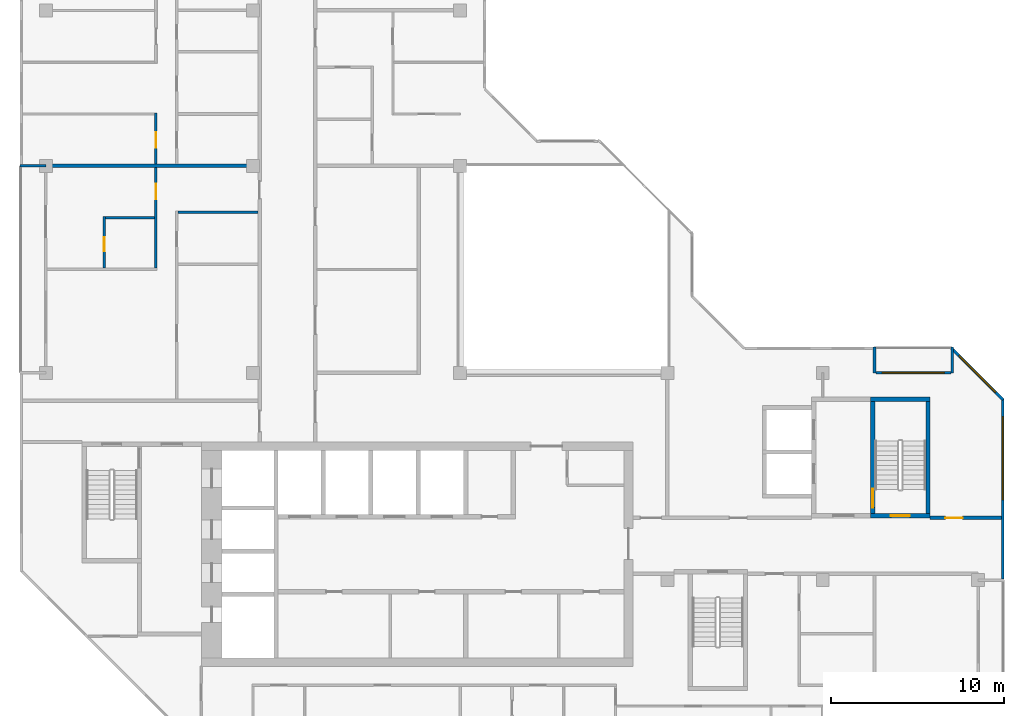
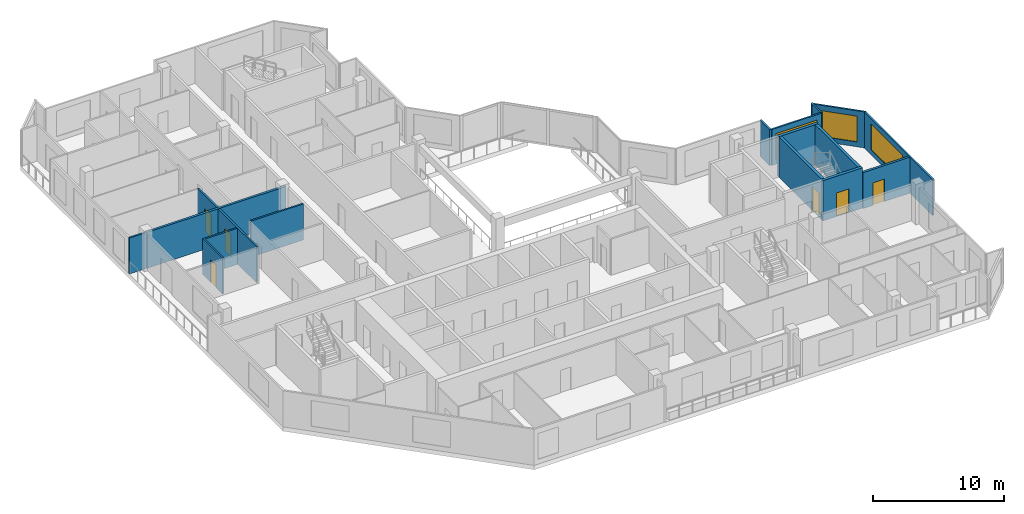
# One storey, part 7 of 12: 17 walls, 6 doors, 3 windows, 9 openings.
"""IFC4 building model written with IfcOpenShell, lengths in metres."""

import ifcopenshell
import ifcopenshell.guid

model = None  # the IFC model being written
_history = None  # IfcOwnerHistory: only IFC2X3 demands one
_inside = {}  # id of a spatial element -> (the spatial element, [elements in it])
_under = {}  # id of a project, library or spatial element -> (it, [spatial elements below it])
_declared = {}  # id of a project -> (the project, [libraries it declares])
_typed = {}  # id of a type object -> (the type object, [elements of that type])
_made_of = {}  # id of a material, layer set ... -> (it, [elements and type objects made of it])


def new_model(schema):
    """Start an empty IFC model of exactly this schema.

    Asked for "IFC4X3", IfcOpenShell would pick the latest addendum, in which some entities
    have other attributes; the version numbers below select the first issue.
    IFC2X3 requires an IfcOwnerHistory on every rooted entity: one is made here for all.
    """
    global model, _history
    if schema == "IFC4X3":
        model = ifcopenshell.file(schema_version=(4, 3, 0, 0))
    else:
        model = ifcopenshell.file(schema=schema)
    _inside.clear()
    _under.clear()
    _declared.clear()
    _typed.clear()
    _made_of.clear()
    _history = None
    if model.schema == "IFC2X3":
        org = make("IfcOrganization", Name="unknown")
        user = make(
            "IfcPersonAndOrganization",
            ThePerson=make("IfcPerson", FamilyName="unknown"),
            TheOrganization=org,
        )
        app = make(
            "IfcApplication",
            ApplicationDeveloper=org,
            Version="unknown",
            ApplicationFullName="unknown",
            ApplicationIdentifier="unknown",
        )
        _history = make(
            "IfcOwnerHistory",
            OwningUser=user,
            OwningApplication=app,
            ChangeAction="ADDED",
            CreationDate=0,
        )
    return model


def make(cls, **values):
    """One entity of the class cls with the attributes given. An attribute that is None is left unset."""
    return model.create_entity(
        cls, **{name: value for name, value in values.items() if value is not None}
    )


def rooted(cls, **values):
    """An entity with a GlobalId (a new one), such as an element, a storey or a relation."""
    return make(cls, GlobalId=ifcopenshell.guid.new(), OwnerHistory=_history, **values)


def si_unit(unit_type, name, prefix=None):
    """IfcSIUnit, for example si_unit("LENGTHUNIT", "METRE", prefix="MILLI")."""
    return make("IfcSIUnit", UnitType=unit_type, Prefix=prefix, Name=name)


def assignment(units):
    """IfcUnitAssignment: the units of a project."""
    return None if units is None else make("IfcUnitAssignment", Units=units)


def point(xyz):
    """IfcCartesianPoint."""
    return None if xyz is None else make("IfcCartesianPoint", Coordinates=xyz)


def direction(xyz):
    """IfcDirection."""
    return None if xyz is None else make("IfcDirection", DirectionRatios=xyz)


def frame(location, z_axis=None, x_axis=None):
    """IfcAxis2Placement3D, a coordinate frame: its origin and axes. An axis left out is left unset."""
    return make(
        "IfcAxis2Placement3D",
        Location=point(location),
        Axis=direction(z_axis),
        RefDirection=direction(x_axis),
    )


def frame_2d(location, x_axis=None):
    """IfcAxis2Placement2D, a coordinate frame in the plane: its origin and x axis."""
    return make(
        "IfcAxis2Placement2D", Location=point(location), RefDirection=direction(x_axis)
    )


def origin():
    """The frame at (0, 0, 0) with its axes left unset."""
    return frame((0.0, 0.0, 0.0))


def place(relative_to, where):
    """IfcLocalPlacement: puts the frame where relative to a parent placement (None: the world)."""
    return make(
        "IfcLocalPlacement", PlacementRelTo=relative_to, RelativePlacement=where
    )


def context(
    kind, dimensions, precision=None, world=None, true_north=None, identifier=None
):
    """IfcGeometricRepresentationContext, for example the 3D "Model" context."""
    return make(
        "IfcGeometricRepresentationContext",
        ContextIdentifier=identifier,
        ContextType=kind,
        CoordinateSpaceDimension=dimensions,
        Precision=precision,
        WorldCoordinateSystem=world,
        TrueNorth=true_north,
    )


def subcontext(parent, identifier, kind, view, scale=None):
    """IfcGeometricRepresentationSubContext, for example "Body" below "Model"."""
    return make(
        "IfcGeometricRepresentationSubContext",
        ContextIdentifier=identifier,
        ContextType=kind,
        ParentContext=parent,
        TargetScale=scale,
        TargetView=view,
    )


def project(units=None, contexts=None):
    """IfcProject with its units and contexts."""
    return rooted(
        "IfcProject",
        Name="project",
        RepresentationContexts=contexts,
        UnitsInContext=assignment(units),
    )


def spatial(cls, under=None, at=None, **own):
    """A site, building, storey or space (cls), placed at a placement, below another one or the project."""
    s = rooted(cls, ObjectPlacement=at, **own)
    if under is not None:
        _under.setdefault(under.id(), (under, []))[1].append(s)
    return s


def profile(cls, at=None, kind="AREA", **sizes):
    """A parametric profile (cls). Its sizes go by their IFC names, for example OverallWidth=200.0."""
    return make(cls, ProfileType=kind, Position=at, **sizes)


def rectangle(**sizes):
    """IfcRectangleProfileDef."""
    return profile("IfcRectangleProfileDef", **sizes)


def extrude(swept, where, along, depth):
    """IfcExtrudedAreaSolid: the profile swept, set in the frame where, extruded along a direction by depth."""
    return make(
        "IfcExtrudedAreaSolid",
        SweptArea=swept,
        Position=where,
        ExtrudedDirection=direction(along),
        Depth=depth,
    )


def shape(context_of_items, identifier, shape_type, items):
    """IfcShapeRepresentation: the items that make up one representation, for example the "Body"."""
    return make(
        "IfcShapeRepresentation",
        ContextOfItems=context_of_items,
        RepresentationIdentifier=identifier,
        RepresentationType=shape_type,
        Items=items,
    )


def material(Name=None, Category=None):
    """IfcMaterial."""
    return make("IfcMaterial", Name=Name, Category=Category)


def layer(
    of_material, thickness, ventilated=None, Name=None, Category=None, Priority=None
):
    """IfcMaterialLayer: one layer of a wall or slab, of a material (None: an air gap)."""
    return make(
        "IfcMaterialLayer",
        Material=of_material,
        LayerThickness=thickness,
        IsVentilated=ventilated,
        Name=Name,
        Category=Category,
        Priority=Priority,
    )


def layer_set(layers, Name=None):
    """IfcMaterialLayerSet."""
    return make("IfcMaterialLayerSet", MaterialLayers=layers, LayerSetName=Name)


def made_of(thing, what):
    """Note that an element or type object is made of a material, layer set ...; save() writes the relation."""
    if what is not None:
        _made_of.setdefault(what.id(), (what, []))[1].append(thing)
    return thing


def type_object(cls, material=None, **own):
    """A type object (cls), such as IfcWallType, which elements share."""
    return made_of(rooted(cls, **own), material)


def element(
    cls,
    number,
    at=None,
    inside=None,
    cuts=None,
    type_object=None,
    material=None,
    context=None,
    identifier="Body",
    shape_type=None,
    held_by="IfcProductDefinitionShape",
    body=None,
    shapes=None,
    **own,
):
    """One element of the class cls, such as IfcWall. Its Tag is "e" and its number.

    at: its placement. inside: the storey or other place that contains it. cuts: it is an
    opening in that element (IfcRelVoidsElement). A single representation is given by context,
    identifier, shape_type and body (its items); several are given by shapes. held_by: the class
    of the entity that holds the representations. save() writes the other relations.
    """
    e = rooted(cls, Tag="e%d" % number, ObjectPlacement=at, **own)
    if body is not None:
        shapes = [shape(context, identifier, shape_type, body)]
    if shapes is not None:
        e.Representation = make(held_by, Representations=shapes)
    if inside is not None:
        _inside.setdefault(inside.id(), (inside, []))[1].append(e)
    if cuts is not None:
        rooted(
            "IfcRelVoidsElement", RelatingBuildingElement=cuts, RelatedOpeningElement=e
        )
    if type_object is not None:
        _typed.setdefault(type_object.id(), (type_object, []))[1].append(e)
    return made_of(e, material)


def fill(opening, filler):
    """IfcRelFillsElement: the door or window that sits in an opening."""
    return rooted(
        "IfcRelFillsElement",
        RelatingOpeningElement=opening,
        RelatedBuildingElement=filler,
    )


def aggregate(whole, parts):
    """IfcRelAggregates: a whole, such as a stair, and the parts it consists of."""
    return rooted("IfcRelAggregates", RelatingObject=whole, RelatedObjects=parts)


def save(model, path):
    """Write the relations noted so far, then the file.

    IfcRelAggregates (storeys below a building ...), IfcRelContainedInSpatialStructure (elements
    in a storey), IfcRelDefinesByType, IfcRelAssociatesMaterial and IfcRelDeclares: one each for
    every whole, place, type object, material and project.
    """
    for whole, parts in _under.values():
        aggregate(whole, parts)
    for where, things in _inside.values():
        rooted(
            "IfcRelContainedInSpatialStructure",
            RelatedElements=things,
            RelatingStructure=where,
        )
    for kind, things in _typed.values():
        rooted("IfcRelDefinesByType", RelatedObjects=things, RelatingType=kind)
    for what, things in _made_of.values():
        rooted("IfcRelAssociatesMaterial", RelatedObjects=things, RelatingMaterial=what)
    for by, libraries in _declared.values():
        rooted("IfcRelDeclares", RelatingContext=by, RelatedDefinitions=libraries)
    model.write(path)


model = new_model("IFC4")

# Units and contexts
model_context = context("Model", 3, precision=1e-05, world=origin(), true_north=direction((0.0, 1.0)))
body_context = subcontext(model_context, "Body", "Model", "MODEL_VIEW")
ifc_project = project(units=[si_unit("LENGTHUNIT", "METRE"), si_unit("AREAUNIT", "SQUARE_METRE"), si_unit("VOLUMEUNIT", "CUBIC_METRE"), si_unit("PLANEANGLEUNIT", "RADIAN"), si_unit("MASSUNIT", "GRAM", prefix="KILO")], contexts=[model_context])

# Site, building, storey
site_placement = place(None, origin())
site = spatial("IfcSite", under=ifc_project, at=site_placement, CompositionType="ELEMENT")
building_placement = place(site_placement, origin())
building = spatial("IfcBuilding", under=site, at=building_placement, Name="Chenar Terraces", CompositionType="ELEMENT")
storey_placement = place(building_placement, frame((0.0, 0.0, 342.64990234375)))
storey = spatial("IfcBuildingStorey", under=building, at=storey_placement, Name="L79", CompositionType="ELEMENT", Elevation=342.64990234375)

# Wall, opening, door
ifc_material_1 = material(Name="Concrete C50/60", Category="concrete")
ifc_layer_1 = layer(ifc_material_1, 0.25)
ifc_layer_set_1 = layer_set([ifc_layer_1], Name="Concrete C50/60")
wall_type_1 = type_object("IfcWallType", Name="Core wall 250 Concrete C50/60", PredefinedType="SHEAR", material=ifc_layer_set_1)
wall_1_placement = place(storey_placement, frame((47.77490234375, 15.72509765625, 0.0), z_axis=(0.0, 0.0, 1.0), x_axis=(1.0, 0.0, 0.0)))
wall_1 = element("IfcWall", 1, at=wall_1_placement, inside=storey, type_object=wall_type_1, Name="Core wall ST3_S L79", PredefinedType="SHEAR", context=body_context, shape_type="SweptSolid", body=[
    extrude(rectangle(XDim=3.4501953125, YDim=0.25, at=frame_2d((1.72509765625, 0.0))), origin(), (0.0, 0.0, 1.0), 3.75),
])
opening_1_placement = place(wall_1_placement, frame((1.175048828125, 0.0, 0.0)))
opening_1 = element("IfcOpeningElement", 2, at=opening_1_placement, cuts=wall_1, Name="Opening DL79-C8", PredefinedType="OPENING", context=body_context, shape_type="SweptSolid", body=[
    extrude(rectangle(XDim=1.10009765625, YDim=2.199951171875, at=frame_2d((0.550048828125, 1.10009765625))), frame((0.0, 0.135009765625, 0.0), z_axis=(0.0, -1.0, 0.0), x_axis=(1.0, 0.0, 0.0)), (0.0, 0.0, 1.0), 0.27001953125),
])
ifc_material_2 = material(Name="Steel-framed fire-resisting door leaf", Category="steel")
door_type_1 = type_object("IfcDoorType", Name="Stair fire door FD60 1100 x 2200", OperationType="SINGLE_SWING_LEFT", PredefinedType="DOOR", material=ifc_material_2)
door_1_placement = place(opening_1_placement, frame((1.10009765625, 0.0, 0.0), z_axis=(0.0, 0.0, 1.0), x_axis=(-1.0, 0.0, 0.0)))
door_1 = element("IfcDoor", 3, at=door_1_placement, inside=storey, type_object=door_type_1, Name="Stair door DL79-C8", OperationType="SINGLE_SWING_LEFT", OverallHeight=2.199951171875, OverallWidth=1.10009765625, PredefinedType="DOOR", context=body_context, shape_type="SweptSolid", body=[
    extrude(rectangle(XDim=1.10009765625, YDim=2.199951171875, at=frame_2d((0.550048828125, 1.10009765625))), frame((0.0, 0.02490234375, 0.0), z_axis=(0.0, -1.0, 0.0), x_axis=(1.0, 0.0, 0.0)), (0.0, 0.0, 1.0), 0.050048828125),
])
fill(opening_1, door_1)

# Wall
wall_2_placement = place(storey_placement, frame((47.77490234375, 22.47509765625, 0.0), z_axis=(0.0, 0.0, 1.0), x_axis=(1.0, 0.0, 0.0)))
element("IfcWall", 4, at=wall_2_placement, inside=storey, type_object=wall_type_1, Name="Core wall ST3_N L79", PredefinedType="SHEAR", context=body_context, shape_type="SweptSolid", body=[
    extrude(rectangle(XDim=3.4501953125, YDim=0.25, at=frame_2d((1.72509765625, 0.0))), origin(), (0.0, 0.0, 1.0), 3.75),
])

# Wall, opening, door
wall_3_placement = place(storey_placement, frame((47.89990234375, 15.85009765625, 0.0), z_axis=(0.0, 0.0, 1.0), x_axis=(0.0, 1.0, 0.0)))
wall_3 = element("IfcWall", 5, at=wall_3_placement, inside=storey, type_object=wall_type_1, Name="Core wall ST3_W L79", PredefinedType="SHEAR", context=body_context, shape_type="SweptSolid", body=[
    extrude(rectangle(XDim=6.5, YDim=0.25, at=frame_2d((3.25, 0.0))), origin(), (0.0, 0.0, 1.0), 3.75),
])
opening_2_placement = place(wall_3_placement, frame((0.35009765625, 0.0, 0.0)))
opening_2 = element("IfcOpeningElement", 6, at=opening_2_placement, cuts=wall_3, Name="Opening DL79-C11", PredefinedType="OPENING", context=body_context, shape_type="SweptSolid", body=[
    extrude(rectangle(XDim=1.10009765625, YDim=2.199951171875, at=frame_2d((0.550048828125, 1.10009765625))), frame((0.0, 0.135009765625, 0.0), z_axis=(0.0, -1.0, 0.0), x_axis=(1.0, 0.0, 0.0)), (0.0, 0.0, 1.0), 0.27001953125),
])
door_2_placement = place(opening_2_placement, frame((1.10009765625, 0.0, 0.0), z_axis=(0.0, 0.0, 1.0), x_axis=(-1.0, 0.0, 0.0)))
door_2 = element("IfcDoor", 7, at=door_2_placement, inside=storey, type_object=door_type_1, Name="Stair door DL79-C11", OperationType="SINGLE_SWING_RIGHT", OverallHeight=2.199951171875, OverallWidth=1.10009765625, PredefinedType="DOOR", context=body_context, shape_type="SweptSolid", body=[
    extrude(rectangle(XDim=1.10009765625, YDim=2.199951171875, at=frame_2d((0.550048828125, 1.10009765625))), frame((0.0, 0.02490234375, 0.0), z_axis=(0.0, -1.0, 0.0), x_axis=(1.0, 0.0, 0.0)), (0.0, 0.0, 1.0), 0.050048828125),
])
fill(opening_2, door_2)

# Wall
wall_4_placement = place(storey_placement, frame((51.10009765625, 15.85009765625, 0.0), z_axis=(0.0, 0.0, 1.0), x_axis=(0.0, 1.0, 0.0)))
element("IfcWall", 8, at=wall_4_placement, inside=storey, type_object=wall_type_1, Name="Core wall ST3_E L79", PredefinedType="SHEAR", context=body_context, shape_type="SweptSolid", body=[
    extrude(rectangle(XDim=6.5, YDim=0.25, at=frame_2d((3.25, 0.0))), origin(), (0.0, 0.0, 1.0), 3.75),
])

# Wall, opening, door
ifc_material_3 = material(Name="Gypsum board on steel studs with fire boards", Category="steel")
ifc_layer_2 = layer(ifc_material_3, 0.199951171875)
ifc_layer_set_2 = layer_set([ifc_layer_2], Name="Gypsum board on steel studs with fire boards")
wall_type_2 = type_object("IfcWallType", Name="Corridor wall 200", PredefinedType="PARTITIONING", material=ifc_layer_set_2)
wall_5_placement = place(storey_placement, frame((51.22509765625, 15.60009765625, 0.0), z_axis=(0.0, 0.0, 1.0), x_axis=(1.0, 0.0, 0.0)))
wall_5 = element("IfcWall", 9, at=wall_5_placement, inside=storey, type_object=wall_type_2, Name="Partition L79-063", PredefinedType="PARTITIONING", context=body_context, shape_type="SweptSolid", body=[
    extrude(rectangle(XDim=4.125, YDim=0.199951171875, at=frame_2d((2.0625, 0.0))), origin(), (0.0, 0.0, 1.0), 3.35009765625),
])
opening_3_placement = place(wall_5_placement, frame((0.875, 0.0, 0.0)))
opening_3 = element("IfcOpeningElement", 10, at=opening_3_placement, cuts=wall_5, Name="Opening DL79-22", PredefinedType="OPENING", context=body_context, shape_type="SweptSolid", body=[
    extrude(rectangle(XDim=1.0, YDim=2.10009765625, at=frame_2d((0.5, 1.050048828125))), frame((0.0, 0.10986328125, 0.0), z_axis=(0.0, -1.0, 0.0), x_axis=(1.0, 0.0, 0.0)), (0.0, 0.0, 1.0), 0.219970703125),
])
ifc_material_4 = material(Name="Steel-framed fire-resisting door leaf", Category="steel")
door_type_2 = type_object("IfcDoorType", Name="Fire door FD60 1000 x 2100", OperationType="SINGLE_SWING_LEFT", PredefinedType="DOOR", material=ifc_material_4)
door_3_placement = place(opening_3_placement, origin())
door_3 = element("IfcDoor", 11, at=door_3_placement, inside=storey, type_object=door_type_2, Name="Door DL79-22", OperationType="SINGLE_SWING_LEFT", OverallHeight=2.10009765625, OverallWidth=1.0, PredefinedType="DOOR", context=body_context, shape_type="SweptSolid", body=[
    extrude(rectangle(XDim=1.0, YDim=2.10009765625, at=frame_2d((0.5, 1.050048828125))), frame((0.0, 0.02490234375, 0.0), z_axis=(0.0, -1.0, 0.0), x_axis=(1.0, 0.0, 0.0)), (0.0, 0.0, 1.0), 0.050048828125),
])
fill(opening_3, door_3)

# Wall, opening, window
ifc_material_5 = material(Name="Aluminium framed glazing", Category="aluminium")
ifc_layer_3 = layer(ifc_material_5, 0.14990234375)
ifc_layer_set_3 = layer_set([ifc_layer_3], Name="Aluminium framed glazing")
wall_type_3 = type_object("IfcWallType", Name="Glazed flush facade wall 150", PredefinedType="SOLIDWALL", material=ifc_layer_set_3)
wall_6_placement = place(storey_placement, frame((55.425048828125, 12.074951171875, 0.0), z_axis=(0.0, 0.0, 1.0), x_axis=(0.0, 1.0, 0.0)))
wall_6 = element("IfcWall", 12, at=wall_6_placement, inside=storey, type_object=wall_type_3, Name="Glazed flush facade wall", PredefinedType="SOLIDWALL", context=body_context, shape_type="SweptSolid", body=[
    extrude(rectangle(XDim=10.425048828125, YDim=0.14990234375, at=frame_2d((5.21240234375, 0.0))), origin(), (0.0, 0.0, 1.0), 3.35009765625),
])
opening_4_placement = place(wall_6_placement, frame((4.574951171875, 0.0, 0.449951171875)))
opening_4 = element("IfcOpeningElement", 13, at=opening_4_placement, cuts=wall_6, Name="Opening W480x240", PredefinedType="OPENING", context=body_context, shape_type="SweptSolid", body=[
    extrude(rectangle(XDim=4.800048828125, YDim=2.39990234375, at=frame_2d((2.39990234375, 1.199951171875))), frame((0.0, 0.0849609375, 0.0), z_axis=(0.0, -1.0, 0.0), x_axis=(1.0, 0.0, 0.0)), (0.0, 0.0, 1.0), 0.169921875),
])
ifc_material_6 = material(Name="Low emissivity double glazing, aluminium frame", Category="aluminium")
window_type_1 = type_object("IfcWindowType", Name="Fixed light 4800 x 2400", PartitioningType="SINGLE_PANEL", PredefinedType="WINDOW", material=ifc_material_6)
window_1_placement = place(opening_4_placement, origin())
window_1 = element("IfcWindow", 14, at=window_1_placement, inside=storey, type_object=window_type_1, Name="Window", OverallHeight=2.39990234375, OverallWidth=4.800048828125, PartitioningType="SINGLE_PANEL", PredefinedType="WINDOW", context=body_context, shape_type="SweptSolid", body=[
    extrude(rectangle(XDim=4.800048828125, YDim=2.39990234375, at=frame_2d((2.39990234375, 1.199951171875))), frame((0.0, 0.030029296875, 0.0), z_axis=(0.0, -1.0, 0.0), x_axis=(1.0, 0.0, 0.0)), (0.0, 0.0, 1.0), 0.06005859375),
])
fill(opening_4, window_1)

ifc_material_7 = material(Name="Aluminium framed glazing", Category="aluminium")
ifc_layer_4 = layer(ifc_material_7, 0.14990234375)
ifc_layer_set_4 = layer_set([ifc_layer_4], Name="Aluminium framed glazing")
wall_type_4 = type_object("IfcWallType", Name="Glazed loggia back wall 150", PredefinedType="SOLIDWALL", material=ifc_layer_set_4)
wall_7_placement = place(storey_placement, frame((52.425048828125, 24.0, 0.0), z_axis=(0.0, 0.0, 1.0), x_axis=(-1.0, 0.0, 0.0)))
wall_7 = element("IfcWall", 15, at=wall_7_placement, inside=storey, type_object=wall_type_4, Name="Glazed loggia back wall", PredefinedType="SOLIDWALL", context=body_context, shape_type="SweptSolid", body=[
    extrude(rectangle(XDim=4.35009765625, YDim=0.14990234375, at=frame_2d((2.175048828125, 0.0))), origin(), (0.0, 0.0, 1.0), 3.35009765625),
])
opening_5_placement = place(wall_7_placement, frame((0.375, 0.0, 0.449951171875)))
opening_5 = element("IfcOpeningElement", 16, at=opening_5_placement, cuts=wall_7, Name="Opening W360x240", PredefinedType="OPENING", context=body_context, shape_type="SweptSolid", body=[
    extrude(rectangle(XDim=3.60009765625, YDim=2.39990234375, at=frame_2d((1.800048828125, 1.199951171875))), frame((0.0, 0.0849609375, 0.0), z_axis=(0.0, -1.0, 0.0), x_axis=(1.0, 0.0, 0.0)), (0.0, 0.0, 1.0), 0.169921875),
])
ifc_material_8 = material(Name="Low emissivity double glazing, aluminium frame", Category="aluminium")
window_type_2 = type_object("IfcWindowType", Name="Fixed light 3600 x 2400", PartitioningType="SINGLE_PANEL", PredefinedType="WINDOW", material=ifc_material_8)
window_2_placement = place(opening_5_placement, origin())
window_2 = element("IfcWindow", 17, at=window_2_placement, inside=storey, type_object=window_type_2, Name="Window", OverallHeight=2.39990234375, OverallWidth=3.60009765625, PartitioningType="SINGLE_PANEL", PredefinedType="WINDOW", context=body_context, shape_type="SweptSolid", body=[
    extrude(rectangle(XDim=3.60009765625, YDim=2.39990234375, at=frame_2d((1.800048828125, 1.199951171875))), frame((0.0, 0.030029296875, 0.0), z_axis=(0.0, -1.0, 0.0), x_axis=(1.0, 0.0, 0.0)), (0.0, 0.0, 1.0), 0.06005859375),
])
fill(opening_5, window_2)

# Walls
ifc_material_9 = material(Name="Terracotta cladding on insulated backing", Category="masonry")
ifc_layer_5 = layer(ifc_material_9, 0.14990234375)
ifc_layer_set_5 = layer_set([ifc_layer_5], Name="Terracotta cladding on insulated backing")
wall_type_5 = type_object("IfcWallType", Name="Loggia return wall 150", PredefinedType="SOLIDWALL", material=ifc_layer_set_5)
for number, where, z_axis, x_axis, name in (
    (18, (52.5, 25.5, 0.0), (0.0, 0.0, 1.0), (0.0, -1.0, 0.0), "Loggia return wall"),
    (19, (48.0, 25.5, 0.0), (0.0, 0.0, 1.0), (0.0, -1.0, 0.0), "Loggia return wall"),
    (20, (-1.5, 36.0, 0.0), (0.0, 0.0, 1.0), (1.0, 0.0, 0.0), "Loggia return wall"),
):
    element("IfcWall", number, at=place(storey_placement, frame(where, z_axis=z_axis, x_axis=x_axis)), inside=storey, type_object=wall_type_5, Name=name, PredefinedType="SOLIDWALL", context=body_context, shape_type="SweptSolid", body=[
        extrude(rectangle(XDim=1.5, YDim=0.14990234375, at=frame_2d((0.75, 0.0))), origin(), (0.0, 0.0, 1.0), 3.35009765625),
    ])

# Wall, opening, window
ifc_material_10 = material(Name="Terracotta cladding on insulated backing", Category="masonry")
ifc_layer_6 = layer(ifc_material_10, 0.14990234375)
ifc_layer_set_6 = layer_set([ifc_layer_6], Name="Terracotta cladding on insulated backing")
wall_type_6 = type_object("IfcWallType", Name="Terracotta rainscreen wall 150", PredefinedType="SOLIDWALL", material=ifc_layer_set_6)
wall_8_placement = place(storey_placement, frame((55.447021484375, 22.447021484375, 0.0), z_axis=(0.0, 0.0, 1.0), x_axis=(-0.707106781187, 0.707106781187, 0.0)))
wall_8 = element("IfcWall", 21, at=wall_8_placement, inside=storey, type_object=wall_type_6, Name="Terracotta rainscreen wall", PredefinedType="SOLIDWALL", context=body_context, shape_type="SweptSolid", body=[
    extrude(rectangle(XDim=4.24267578125, YDim=0.14990234375, at=frame_2d((2.121337890625, 0.0))), origin(), (0.0, 0.0, 1.0), 3.35009765625),
])
opening_6_placement = place(wall_8_placement, frame((0.621337890625, 0.0, 0.449951171875)))
opening_6 = element("IfcOpeningElement", 22, at=opening_6_placement, cuts=wall_8, Name="Opening W300x240", PredefinedType="OPENING", context=body_context, shape_type="SweptSolid", body=[
    extrude(rectangle(XDim=3.0, YDim=2.39990234375, at=frame_2d((1.5, 1.199951171875))), frame((0.0, 0.0849609375, 0.0), z_axis=(0.0, -1.0, 0.0), x_axis=(1.0, 0.0, 0.0)), (0.0, 0.0, 1.0), 0.169921875),
])
ifc_material_11 = material(Name="Low emissivity double glazing, aluminium frame", Category="aluminium")
window_type_3 = type_object("IfcWindowType", Name="Fixed light 3000 x 2400", PartitioningType="SINGLE_PANEL", PredefinedType="WINDOW", material=ifc_material_11)
window_3_placement = place(opening_6_placement, origin())
window_3 = element("IfcWindow", 23, at=window_3_placement, inside=storey, type_object=window_type_3, Name="Window", OverallHeight=2.39990234375, OverallWidth=3.0, PartitioningType="SINGLE_PANEL", PredefinedType="WINDOW", context=body_context, shape_type="SweptSolid", body=[
    extrude(rectangle(XDim=3.0, YDim=2.39990234375, at=frame_2d((1.5, 1.199951171875))), frame((0.0, 0.030029296875, 0.0), z_axis=(0.0, -1.0, 0.0), x_axis=(1.0, 0.0, 0.0)), (0.0, 0.0, 1.0), 0.06005859375),
])
fill(opening_6, window_3)

# Wall
ifc_material_12 = material(Name="Twin gypsum board on steel studs with mineral wool", Category="steel")
ifc_layer_7 = layer(ifc_material_12, 0.199951171875)
ifc_layer_set_7 = layer_set([ifc_layer_7], Name="Twin gypsum board on steel studs with mineral wool")
wall_type_7 = type_object("IfcWallType", Name="Unit demising wall 200", PredefinedType="PARTITIONING", material=ifc_layer_set_7)
wall_9_placement = place(storey_placement, frame((0.0, 36.0, 0.0), z_axis=(0.0, 0.0, 1.0), x_axis=(1.0, 0.0, 0.0)))
element("IfcWall", 24, at=wall_9_placement, inside=storey, type_object=wall_type_7, Name="Partition L79-003", PredefinedType="PARTITIONING", context=body_context, shape_type="SweptSolid", body=[
    extrude(rectangle(XDim=12.27490234375, YDim=0.199951171875, at=frame_2d((6.137451171875, 0.0))), origin(), (0.0, 0.0, 1.0), 3.35009765625),
])

# Wall, opening, door
ifc_material_13 = material(Name="Moisture-resistant gypsum board on steel studs", Category="steel")
ifc_layer_8 = layer(ifc_material_13, 0.14990234375)
ifc_layer_set_8 = layer_set([ifc_layer_8], Name="Moisture-resistant gypsum board on steel studs")
wall_type_8 = type_object("IfcWallType", Name="Wet-room partition 150", PredefinedType="PARTITIONING", material=ifc_layer_set_8)
wall_10_placement = place(storey_placement, frame((3.375, 30.074951171875, 0.0), z_axis=(0.0, 0.0, 1.0), x_axis=(0.0, 1.0, 0.0)))
wall_10 = element("IfcWall", 25, at=wall_10_placement, inside=storey, type_object=wall_type_8, Name="Partition L79-010", PredefinedType="PARTITIONING", context=body_context, shape_type="SweptSolid", body=[
    extrude(rectangle(XDim=3.0, YDim=0.14990234375, at=frame_2d((1.5, 0.0))), origin(), (0.0, 0.0, 1.0), 3.35009765625),
])
opening_7_placement = place(wall_10_placement, frame((0.97509765625, 0.0, 0.0)))
opening_7 = element("IfcOpeningElement", 26, at=opening_7_placement, cuts=wall_10, Name="Opening DL79-42", PredefinedType="OPENING", context=body_context, shape_type="SweptSolid", body=[
    extrude(rectangle(XDim=0.800048828125, YDim=2.10009765625, at=frame_2d((0.39990234375, 1.050048828125))), frame((0.0, 0.0849609375, 0.0), z_axis=(0.0, -1.0, 0.0), x_axis=(1.0, 0.0, 0.0)), (0.0, 0.0, 1.0), 0.169921875),
])
ifc_material_14 = material(Name="Veneered timber door leaf", Category="wood")
door_type_3 = type_object("IfcDoorType", Name="Door 800 x 2100", OperationType="SINGLE_SWING_LEFT", PredefinedType="DOOR", material=ifc_material_14)
door_4_placement = place(opening_7_placement, frame((0.800048828125, 0.0, 0.0), z_axis=(0.0, 0.0, 1.0), x_axis=(-1.0, 0.0, 0.0)))
door_4 = element("IfcDoor", 27, at=door_4_placement, inside=storey, type_object=door_type_3, Name="Door DL79-42", OperationType="SINGLE_SWING_RIGHT", OverallHeight=2.10009765625, OverallWidth=0.800048828125, PredefinedType="DOOR", context=body_context, shape_type="SweptSolid", body=[
    extrude(rectangle(XDim=0.800048828125, YDim=2.10009765625, at=frame_2d((0.39990234375, 1.050048828125))), frame((0.0, 0.02490234375, 0.0), z_axis=(0.0, -1.0, 0.0), x_axis=(1.0, 0.0, 0.0)), (0.0, 0.0, 1.0), 0.050048828125),
])
fill(opening_7, door_4)

# Wall
wall_11_placement = place(storey_placement, frame((3.449951171875, 33.0, 0.0), z_axis=(0.0, 0.0, 1.0), x_axis=(1.0, 0.0, 0.0)))
element("IfcWall", 28, at=wall_11_placement, inside=storey, type_object=wall_type_8, Name="Partition L79-012", PredefinedType="PARTITIONING", context=body_context, shape_type="SweptSolid", body=[
    extrude(rectangle(XDim=2.85009765625, YDim=0.14990234375, at=frame_2d((1.425048828125, 0.0))), origin(), (0.0, 0.0, 1.0), 3.35009765625),
])

# Wall, opening, door
wall_12_placement = place(storey_placement, frame((6.375, 30.074951171875, 0.0), z_axis=(0.0, 0.0, 1.0), x_axis=(0.0, 1.0, 0.0)))
wall_12 = element("IfcWall", 29, at=wall_12_placement, inside=storey, type_object=wall_type_8, Name="Partition L79-014", PredefinedType="PARTITIONING", context=body_context, shape_type="SweptSolid", body=[
    extrude(rectangle(XDim=5.824951171875, YDim=0.14990234375, at=frame_2d((2.91259765625, 0.0))), origin(), (0.0, 0.0, 1.0), 3.35009765625),
])
opening_8_placement = place(wall_12_placement, frame((3.97509765625, 0.0, 0.0)))
opening_8 = element("IfcOpeningElement", 30, at=opening_8_placement, cuts=wall_12, Name="Opening DL79-41", PredefinedType="OPENING", context=body_context, shape_type="SweptSolid", body=[
    extrude(rectangle(XDim=0.89990234375, YDim=2.10009765625, at=frame_2d((0.449951171875, 1.050048828125))), frame((0.0, 0.0849609375, 0.0), z_axis=(0.0, -1.0, 0.0), x_axis=(1.0, 0.0, 0.0)), (0.0, 0.0, 1.0), 0.169921875),
])
ifc_material_15 = material(Name="Veneered timber door leaf", Category="wood")
door_type_4 = type_object("IfcDoorType", Name="Door 900 x 2100", OperationType="SINGLE_SWING_LEFT", PredefinedType="DOOR", material=ifc_material_15)
door_5_placement = place(opening_8_placement, origin())
door_5 = element("IfcDoor", 31, at=door_5_placement, inside=storey, type_object=door_type_4, Name="Door DL79-41", OperationType="SINGLE_SWING_RIGHT", OverallHeight=2.10009765625, OverallWidth=0.89990234375, PredefinedType="DOOR", context=body_context, shape_type="SweptSolid", body=[
    extrude(rectangle(XDim=0.89990234375, YDim=2.10009765625, at=frame_2d((0.449951171875, 1.050048828125))), frame((0.0, 0.02490234375, 0.0), z_axis=(0.0, -1.0, 0.0), x_axis=(1.0, 0.0, 0.0)), (0.0, 0.0, 1.0), 0.050048828125),
])
fill(opening_8, door_5)

wall_13_placement = place(storey_placement, frame((6.375, 36.10009765625, 0.0), z_axis=(0.0, 0.0, 1.0), x_axis=(0.0, 1.0, 0.0)))
wall_13 = element("IfcWall", 32, at=wall_13_placement, inside=storey, type_object=wall_type_8, Name="Partition L79-015", PredefinedType="PARTITIONING", context=body_context, shape_type="SweptSolid", body=[
    extrude(rectangle(XDim=2.949951171875, YDim=0.14990234375, at=frame_2d((1.47509765625, 0.0))), origin(), (0.0, 0.0, 1.0), 3.35009765625),
])
opening_9_placement = place(wall_13_placement, frame((0.949951171875, 0.0, 0.0)))
opening_9 = element("IfcOpeningElement", 33, at=opening_9_placement, cuts=wall_13, Name="Opening DL79-10", PredefinedType="OPENING", context=body_context, shape_type="SweptSolid", body=[
    extrude(rectangle(XDim=0.89990234375, YDim=2.10009765625, at=frame_2d((0.449951171875, 1.050048828125))), frame((0.0, 0.0849609375, 0.0), z_axis=(0.0, -1.0, 0.0), x_axis=(1.0, 0.0, 0.0)), (0.0, 0.0, 1.0), 0.169921875),
])
door_6_placement = place(opening_9_placement, origin())
door_6 = element("IfcDoor", 34, at=door_6_placement, inside=storey, type_object=door_type_4, Name="Door DL79-10", OperationType="SINGLE_SWING_RIGHT", OverallHeight=2.10009765625, OverallWidth=0.89990234375, PredefinedType="DOOR", context=body_context, shape_type="SweptSolid", body=[
    extrude(rectangle(XDim=0.89990234375, YDim=2.10009765625, at=frame_2d((0.449951171875, 1.050048828125))), frame((0.0, 0.02490234375, 0.0), z_axis=(0.0, -1.0, 0.0), x_axis=(1.0, 0.0, 0.0)), (0.0, 0.0, 1.0), 0.050048828125),
])
fill(opening_9, door_6)

# Wall
wall_14_placement = place(storey_placement, frame((7.64990234375, 33.300048828125, 0.0), z_axis=(0.0, 0.0, 1.0), x_axis=(1.0, 0.0, 0.0)))
element("IfcWall", 35, at=wall_14_placement, inside=storey, type_object=wall_type_8, Name="Partition L79-020", PredefinedType="PARTITIONING", context=body_context, shape_type="SweptSolid", body=[
    extrude(rectangle(XDim=4.625, YDim=0.14990234375, at=frame_2d((2.3125, 0.0))), origin(), (0.0, 0.0, 1.0), 3.35009765625),
])

save(model, "model.ifc")
